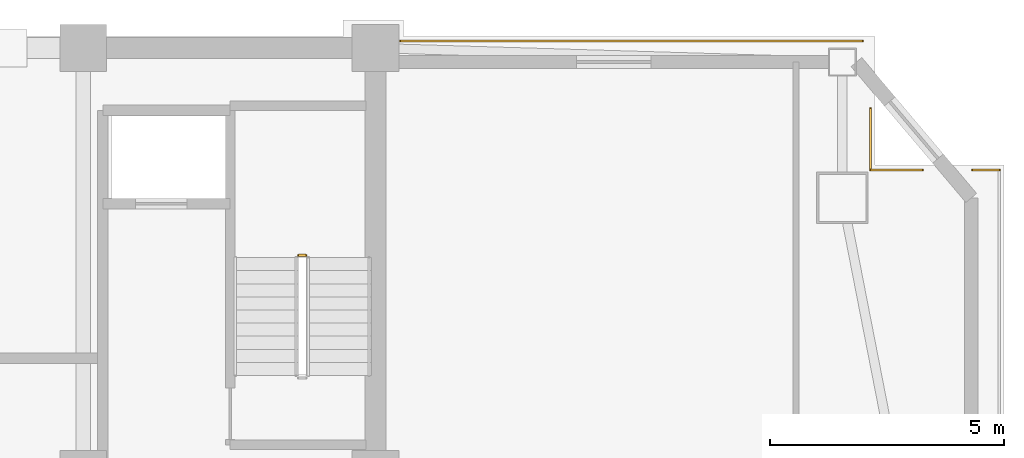
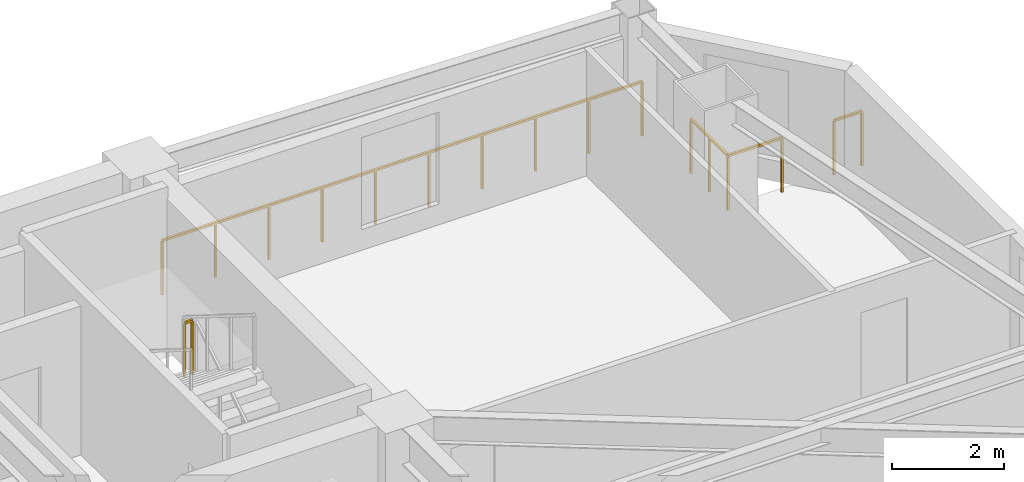
# One storey, part 17 of 17: 5 railings.
"""IFC4 building model written with IfcOpenShell, lengths in metres."""

from ifc_helpers import new_model, si_unit, direction, frame, origin, origin_2d, place, context, subcontext, project, spatial, rectangle, extrude, material, type_object, element, save


model = new_model("IFC4")

# Units and contexts
model_context = context("Model", 3, precision=1e-05, world=origin(), true_north=direction((0.0, 1.0)))
body_context = subcontext(model_context, "Body", "Model", "MODEL_VIEW")
ifc_project = project(units=[si_unit("LENGTHUNIT", "METRE"), si_unit("AREAUNIT", "SQUARE_METRE"), si_unit("VOLUMEUNIT", "CUBIC_METRE"), si_unit("PLANEANGLEUNIT", "RADIAN"), si_unit("MASSUNIT", "GRAM", prefix="KILO")], contexts=[model_context])

# Site, building, storey
site_placement = place(None, origin())
site = spatial("IfcSite", under=ifc_project, at=site_placement, CompositionType="ELEMENT")
building_placement = place(site_placement, origin())
building = spatial("IfcBuilding", under=site, at=building_placement, Name="Giltprow Tower", CompositionType="ELEMENT")
storey_placement = place(building_placement, frame((0.0, 0.0, 216.699951171875)))
storey = spatial("IfcBuildingStorey", under=building, at=storey_placement, Name="L55", CompositionType="ELEMENT", Elevation=216.699951171875)

# Railings
ifc_material = material(Name="Anodized bronze", Category="metal")
railing_type_1 = type_object("IfcRailingType", Name="RAIL-BALC-GUARD-1200", PredefinedType="BALUSTRADE", material=ifc_material)
railing_1_placement = place(storey_placement, frame((51.0849609375, 46.699951171875, 0.0)))
element("IfcRailing", 1, at=railing_1_placement, inside=storey, type_object=railing_type_1, Name="L55 Corner Apron Edge Balustrade 18", PredefinedType="BALUSTRADE", context=body_context, shape_type="SweptSolid", body=[
    extrude(rectangle(XDim=0.048095703125, YDim=0.048095703125, at=origin_2d()), frame((0.0, 0.0, 1.17578125), z_axis=(1.0, 0.0, 0.0), x_axis=(0.0, 1.0, 0.0)), (0.0, 0.0, 1.0), 9.873046875),
    extrude(rectangle(XDim=0.0419921875, YDim=0.0419921875, at=origin_2d()), origin(), (0.0, 0.0, 1.0), 1.15185546875),
    extrude(rectangle(XDim=0.0419921875, YDim=0.0419921875, at=origin_2d()), frame((1.096923828125, 0.0, 0.0)), (0.0, 0.0, 1.0), 1.15185546875),
    extrude(rectangle(XDim=0.0419921875, YDim=0.0419921875, at=origin_2d()), frame((2.194091796875, 0.0, 0.0)), (0.0, 0.0, 1.0), 1.15185546875),
    extrude(rectangle(XDim=0.0419921875, YDim=0.0419921875, at=origin_2d()), frame((3.291015625, 0.0, 0.0)), (0.0, 0.0, 1.0), 1.15185546875),
    extrude(rectangle(XDim=0.0419921875, YDim=0.0419921875, at=origin_2d()), frame((4.387939453125, 0.0, 0.0)), (0.0, 0.0, 1.0), 1.15185546875),
    extrude(rectangle(XDim=0.0419921875, YDim=0.0419921875, at=origin_2d()), frame((5.485107421875, 0.0, 0.0)), (0.0, 0.0, 1.0), 1.15185546875),
    extrude(rectangle(XDim=0.0419921875, YDim=0.0419921875, at=origin_2d()), frame((6.58203125, 0.0, 0.0)), (0.0, 0.0, 1.0), 1.15185546875),
    extrude(rectangle(XDim=0.0419921875, YDim=0.0419921875, at=origin_2d()), frame((7.678955078125, 0.0, 0.0)), (0.0, 0.0, 1.0), 1.15185546875),
    extrude(rectangle(XDim=0.0419921875, YDim=0.0419921875, at=origin_2d()), frame((8.776123046875, 0.0, 0.0)), (0.0, 0.0, 1.0), 1.15185546875),
    extrude(rectangle(XDim=0.0419921875, YDim=0.0419921875, at=origin_2d()), frame((9.873046875, 0.0, 0.0)), (0.0, 0.0, 1.0), 1.15185546875),
])
railing_2_placement = place(storey_placement, frame((61.1279296875, 45.260009765625, 0.0)))
element("IfcRailing", 2, at=railing_2_placement, inside=storey, type_object=railing_type_1, Name="L55 Corner Apron Edge Balustrade 19", PredefinedType="BALUSTRADE", context=body_context, shape_type="SweptSolid", body=[
    extrude(rectangle(XDim=0.048095703125, YDim=0.048095703125, at=origin_2d()), frame((0.0, 0.0, 1.17578125), z_axis=(0.0, -1.0, 0.0), x_axis=(1.0, 0.0, 0.0)), (0.0, 0.0, 1.0), 1.31396484375),
    extrude(rectangle(XDim=0.0419921875, YDim=0.0419921875, at=origin_2d()), origin(), (0.0, 0.0, 1.0), 1.15185546875),
    extrude(rectangle(XDim=0.0419921875, YDim=0.0419921875, at=origin_2d()), frame((0.0, -0.656982421875, 0.0)), (0.0, 0.0, 1.0), 1.15185546875),
    extrude(rectangle(XDim=0.0419921875, YDim=0.0419921875, at=origin_2d()), frame((0.0, -1.31396484375, 0.0)), (0.0, 0.0, 1.0), 1.15185546875),
])
railing_3_placement = place(storey_placement, frame((61.1279296875, 43.946044921875, 0.0)))
element("IfcRailing", 3, at=railing_3_placement, inside=storey, type_object=railing_type_1, Name="L55 Corner Apron Edge Balustrade 20", PredefinedType="BALUSTRADE", context=body_context, shape_type="SweptSolid", body=[
    extrude(rectangle(XDim=0.048095703125, YDim=0.048095703125, at=origin_2d()), frame((0.0, 0.0, 1.17578125), z_axis=(1.0, 0.0, 0.0), x_axis=(0.0, 1.0, 0.0)), (0.0, 0.0, 1.0), 1.110107421875),
    extrude(rectangle(XDim=0.0419921875, YDim=0.0419921875, at=origin_2d()), origin(), (0.0, 0.0, 1.0), 1.15185546875),
    extrude(rectangle(XDim=0.0419921875, YDim=0.0419921875, at=origin_2d()), frame((1.110107421875, 0.0, 0.0)), (0.0, 0.0, 1.0), 1.15185546875),
])
railing_4_placement = place(storey_placement, frame((63.31201171875, 43.946044921875, 0.0)))
element("IfcRailing", 4, at=railing_4_placement, inside=storey, type_object=railing_type_1, Name="L55 Corner Apron Edge Balustrade 21", PredefinedType="BALUSTRADE", context=body_context, shape_type="SweptSolid", body=[
    extrude(rectangle(XDim=0.048095703125, YDim=0.048095703125, at=origin_2d()), frame((0.0, 0.0, 1.17578125), z_axis=(1.0, 0.0, 0.0), x_axis=(0.0, 1.0, 0.0)), (0.0, 0.0, 1.0), 0.570068359375),
    extrude(rectangle(XDim=0.0419921875, YDim=0.0419921875, at=origin_2d()), origin(), (0.0, 0.0, 1.0), 1.15185546875),
    extrude(rectangle(XDim=0.0419921875, YDim=0.0419921875, at=origin_2d()), frame((0.570068359375, 0.0, 0.0)), (0.0, 0.0, 1.0), 1.15185546875),
])
railing_type_2 = type_object("IfcRailingType", Name="RAIL-STAIR-GUARD-1200", PredefinedType="GUARDRAIL", material=ifc_material)
railing_5_placement = place(storey_placement, frame((49.06005859375, 42.1201171875, 1.75)))
element("IfcRailing", 5, at=railing_5_placement, inside=storey, type_object=railing_type_2, Name="L55 ST-3 stair guard 2", PredefinedType="GUARDRAIL", context=body_context, shape_type="SweptSolid", body=[
    extrude(rectangle(XDim=0.048095703125, YDim=0.048095703125, at=origin_2d()), frame((0.0, 0.0, 1.17578125), z_axis=(-1.0, 0.0, 0.0), x_axis=(0.0, -1.0, 0.0)), (0.0, 0.0, 1.0), 0.16015625),
    extrude(rectangle(XDim=0.0419921875, YDim=0.0419921875, at=origin_2d()), origin(), (0.0, 0.0, 1.0), 1.15185546875),
    extrude(rectangle(XDim=0.0419921875, YDim=0.0419921875, at=origin_2d()), frame((-0.16015625, 0.0, 0.0)), (0.0, 0.0, 1.0), 1.15185546875),
])

save(model, "model.ifc")
